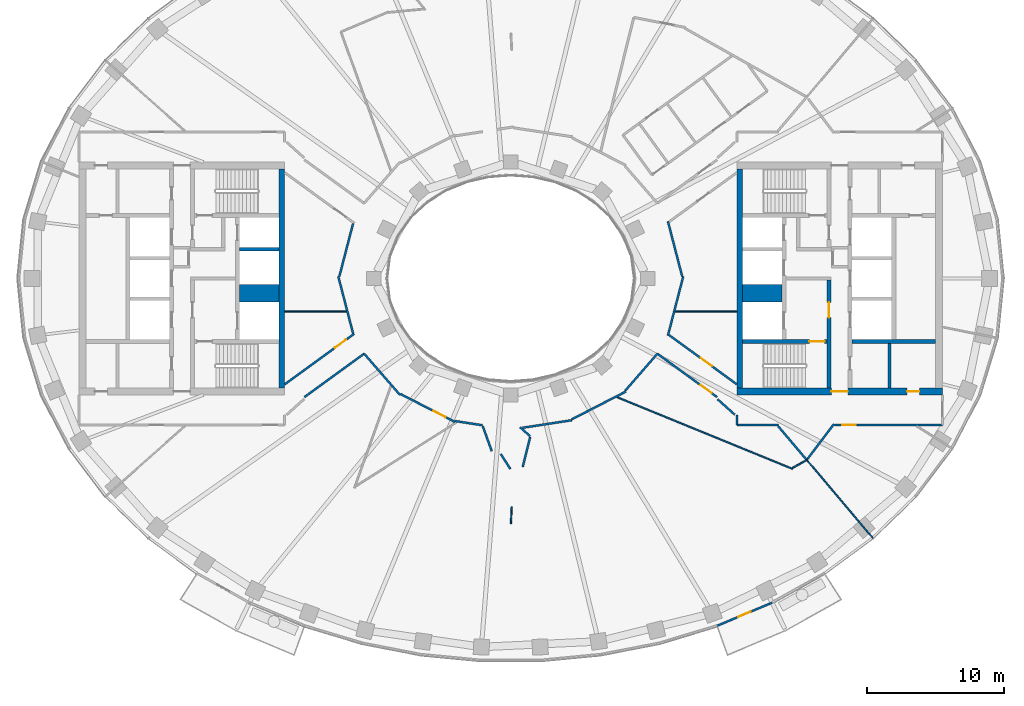
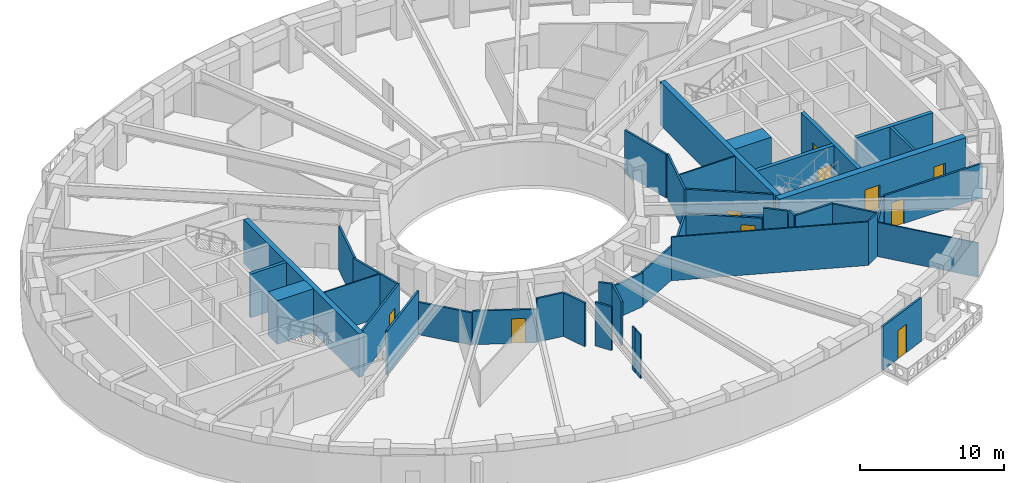
# One storey, part 4 of 15: 42 walls, 10 doors, 10 openings.
"""IFC4 building model written with IfcOpenShell, lengths in metres."""

from ifc_helpers import new_model, si_unit, direction, frame, frame_2d, origin, place, context, subcontext, project, spatial, rectangle, extrude, material, layer, layer_set, type_object, element, fill, save


model = new_model("IFC4")

# Units and contexts
model_context = context("Model", 3, precision=1e-05, world=origin(), true_north=direction((0.0, 1.0)))
body_context = subcontext(model_context, "Body", "Model", "MODEL_VIEW")
ifc_project = project(units=[si_unit("LENGTHUNIT", "METRE"), si_unit("AREAUNIT", "SQUARE_METRE"), si_unit("VOLUMEUNIT", "CUBIC_METRE"), si_unit("PLANEANGLEUNIT", "RADIAN"), si_unit("MASSUNIT", "GRAM", prefix="KILO")], contexts=[model_context])

# Site, building, storey
site_placement = place(None, origin())
site = spatial("IfcSite", under=ifc_project, at=site_placement, CompositionType="ELEMENT")
building_placement = place(site_placement, origin())
building = spatial("IfcBuilding", under=site, at=building_placement, Name="Noorbagh Ring Tower", CompositionType="ELEMENT")
storey_placement = place(building_placement, frame((0.0, 0.0, 194.0)))
storey = spatial("IfcBuildingStorey", under=building, at=storey_placement, Name="L45", CompositionType="ELEMENT", Elevation=194.0)

# Walls
ifc_material_1 = material(Name="Gypsum board on steel studs", Category="steel")
ifc_layer_1 = layer(ifc_material_1, 0.199951171875)
ifc_layer_set_1 = layer_set([ifc_layer_1], Name="Gypsum board on steel studs")
wall_type_1 = type_object("IfcWallType", Name="CORE-PARTITION-200", PredefinedType="PARTITIONING", material=ifc_layer_set_1)
wall_1_placement = place(storey_placement, frame((27.64990234375, -8.0, 0.0), z_axis=(0.0, 0.0, 1.0), x_axis=(0.0, 1.0, 0.0)))
element("IfcWall", 1, at=wall_1_placement, inside=storey, type_object=wall_type_1, Name="Core partition E", PredefinedType="PARTITIONING", context=body_context, shape_type="SweptSolid", body=[
    extrude(rectangle(XDim=3.25, YDim=0.199951171875, at=frame_2d((1.625, 0.0))), origin(), (0.0, 0.0, 1.0), 3.699951171875),
])
ifc_material_2 = material(Name="Concrete C60/75", Category="concrete")
ifc_layer_2 = layer(ifc_material_2, 1.25)
ifc_layer_set_2 = layer_set([ifc_layer_2], Name="Concrete C60/75")
wall_type_2 = type_object("IfcWallType", Name="CORE-WALL-1250-C60-75-EI120", PredefinedType="SHEAR", material=ifc_layer_set_2)
for number, where, z_axis, x_axis, name in (
    (2, (-16.89990234375, -1.074951171875, 0.0), (0.0, 0.0, 1.0), (-1.0, 0.0, 0.0), "Core wall W"),
    (3, (16.89990234375, -1.074951171875, 0.0), (0.0, 0.0, 1.0), (1.0, 0.0, 0.0), "Core wall E"),
):
    element("IfcWall", number, at=place(storey_placement, frame(where, z_axis=z_axis, x_axis=x_axis)), inside=storey, type_object=wall_type_2, Name=name, PredefinedType="SHEAR", context=body_context, shape_type="SweptSolid", body=[
        extrude(rectangle(XDim=2.900146484375, YDim=1.25, at=frame_2d((1.4501953125, 0.0))), origin(), (0.0, 0.0, 1.0), 3.699951171875),
    ])
ifc_material_3 = material(Name="Concrete C60/75", Category="concrete")
ifc_layer_3 = layer(ifc_material_3, 0.25)
ifc_layer_set_3 = layer_set([ifc_layer_3], Name="Concrete C60/75")
wall_type_3 = type_object("IfcWallType", Name="CORE-WALL-250-C60-75-EI120", PredefinedType="SHEAR", material=ifc_layer_set_3)
wall_2_placement = place(storey_placement, frame((-16.89990234375, 2.125, 0.0), z_axis=(0.0, 0.0, 1.0), x_axis=(-1.0, 0.0, 0.0)))
element("IfcWall", 4, at=wall_2_placement, inside=storey, type_object=wall_type_3, Name="Core wall W", PredefinedType="SHEAR", context=body_context, shape_type="SweptSolid", body=[
    extrude(rectangle(XDim=2.900146484375, YDim=0.25, at=frame_2d((1.4501953125, 0.0))), origin(), (0.0, 0.0, 1.0), 3.699951171875),
])
ifc_material_4 = material(Name="Concrete C60/75", Category="concrete")
ifc_layer_4 = layer(ifc_material_4, 0.300048828125)
ifc_layer_set_4 = layer_set([ifc_layer_4], Name="Concrete C60/75")
wall_type_4 = type_object("IfcWallType", Name="CORE-WALL-300-C60-75-EI240", PredefinedType="SHEAR", material=ifc_layer_set_4)
wall_3_placement = place(storey_placement, frame((24.89990234375, -4.60009765625, 0.0), z_axis=(0.0, 0.0, 1.0), x_axis=(1.0, 0.0, 0.0)))
element("IfcWall", 5, at=wall_3_placement, inside=storey, type_object=wall_type_4, Name="Core wall E", PredefinedType="SHEAR", context=body_context, shape_type="SweptSolid", body=[
    extrude(rectangle(XDim=6.10009765625, YDim=0.300048828125, at=frame_2d((3.050048828125, 0.0))), origin(), (0.0, 0.0, 1.0), 3.699951171875),
])

# Wall, opening, door
wall_4_placement = place(storey_placement, frame((23.22998046875, -8.0, 0.0), z_axis=(0.0, 0.0, 1.0), x_axis=(0.0, 1.0, 0.0)))
wall_4 = element("IfcWall", 6, at=wall_4_placement, inside=storey, type_object=wall_type_4, Name="Core wall E", PredefinedType="SHEAR", context=body_context, shape_type="SweptSolid", body=[
    extrude(rectangle(XDim=7.875, YDim=0.300048828125, at=frame_2d((3.9375, 0.0))), origin(), (0.0, 0.0, 1.0), 3.699951171875),
])
opening_1_placement = place(wall_4_placement, frame((5.14990234375, 0.0, 0.0)))
opening_1 = element("IfcOpeningElement", 7, at=opening_1_placement, cuts=wall_4, Name="Opening L45-CE09", PredefinedType="OPENING", context=body_context, shape_type="SweptSolid", body=[
    extrude(rectangle(XDim=1.10009765625, YDim=2.10009765625, at=frame_2d((0.550048828125, 1.050048828125))), frame((0.0, 0.16015625, 0.0), z_axis=(0.0, -1.0, 0.0), x_axis=(1.0, 0.0, 0.0)), (0.0, 0.0, 1.0), 0.320068359375),
])
ifc_material_5 = material(Name="Steel door leaf", Category="steel")
door_type_1 = type_object("IfcDoorType", Name="CORE-DOOR-DFF", OperationType="SINGLE_SWING_LEFT", PredefinedType="DOOR", material=ifc_material_5)
door_1_placement = place(opening_1_placement, origin())
door_1 = element("IfcDoor", 8, at=door_1_placement, inside=storey, type_object=door_type_1, Name="Firefighting lobby door L45-CE09", OperationType="SINGLE_SWING_RIGHT", OverallHeight=2.10009765625, OverallWidth=1.10009765625, PredefinedType="DOOR", context=body_context, shape_type="SweptSolid", body=[
    extrude(rectangle(XDim=1.10009765625, YDim=2.10009765625, at=frame_2d((0.550048828125, 1.050048828125))), frame((0.0, 0.02490234375, 0.0), z_axis=(0.0, -1.0, 0.0), x_axis=(1.0, 0.0, 0.0)), (0.0, 0.0, 1.0), 0.050048828125),
])
fill(opening_1, door_1)

wall_5_placement = place(storey_placement, frame((16.89990234375, -4.60009765625, 0.0), z_axis=(0.0, 0.0, 1.0), x_axis=(1.0, 0.0, 0.0)))
wall_5 = element("IfcWall", 9, at=wall_5_placement, inside=storey, type_object=wall_type_4, Name="Core wall E", PredefinedType="SHEAR", context=body_context, shape_type="SweptSolid", body=[
    extrude(rectangle(XDim=6.18017578125, YDim=0.300048828125, at=frame_2d((3.090087890625, 0.0))), origin(), (0.0, 0.0, 1.0), 3.699951171875),
])
opening_2_placement = place(wall_5_placement, frame((4.89990234375, 0.0, 0.0)))
opening_2 = element("IfcOpeningElement", 10, at=opening_2_placement, cuts=wall_5, Name="Opening L45-CE08", PredefinedType="OPENING", context=body_context, shape_type="SweptSolid", body=[
    extrude(rectangle(XDim=1.10009765625, YDim=2.10009765625, at=frame_2d((0.550048828125, 1.050048828125))), frame((0.0, 0.16015625, 0.0), z_axis=(0.0, -1.0, 0.0), x_axis=(1.0, 0.0, 0.0)), (0.0, 0.0, 1.0), 0.320068359375),
])
ifc_material_6 = material(Name="Steel door leaf", Category="steel")
door_type_2 = type_object("IfcDoorType", Name="CORE-DOOR-DSTAIR", OperationType="SINGLE_SWING_LEFT", PredefinedType="DOOR", material=ifc_material_6)
door_2_placement = place(opening_2_placement, origin())
door_2 = element("IfcDoor", 11, at=door_2_placement, inside=storey, type_object=door_type_2, Name="Stair door ST4 L45-CE08", OperationType="SINGLE_SWING_RIGHT", OverallHeight=2.10009765625, OverallWidth=1.10009765625, PredefinedType="DOOR", context=body_context, shape_type="SweptSolid", body=[
    extrude(rectangle(XDim=1.10009765625, YDim=2.10009765625, at=frame_2d((0.550048828125, 1.050048828125))), frame((0.0, 0.02490234375, 0.0), z_axis=(0.0, -1.0, 0.0), x_axis=(1.0, 0.0, 0.0)), (0.0, 0.0, 1.0), 0.050048828125),
])
fill(opening_2, door_2)

# Walls
ifc_material_7 = material(Name="Concrete C60/75", Category="concrete")
ifc_layer_5 = layer(ifc_material_7, 0.39990234375)
ifc_layer_set_5 = layer_set([ifc_layer_5], Name="Concrete C60/75")
wall_type_5 = type_object("IfcWallType", Name="CORE-WALL-400-C60-75-EI240", PredefinedType="SHEAR", material=ifc_layer_set_5)
for number, where, z_axis, x_axis, name in (
    (12, (-16.699951171875, -8.0, 0.0), (0.0, 0.0, 1.0), (0.0, 1.0, 0.0), "Core wall W"),
    (13, (16.699951171875, -8.0, 0.0), (0.0, 0.0, 1.0), (0.0, 1.0, 0.0), "Core wall E"),
):
    element("IfcWall", number, at=place(storey_placement, frame(where, z_axis=z_axis, x_axis=x_axis)), inside=storey, type_object=wall_type_5, Name=name, PredefinedType="SHEAR", context=body_context, shape_type="SweptSolid", body=[
        extrude(rectangle(XDim=16.0, YDim=0.39990234375, at=frame_2d((8.0, 0.0))), origin(), (0.0, 0.0, 1.0), 3.699951171875),
    ])

# Wall, openings, doors
ifc_material_8 = material(Name="Concrete C60/75", Category="concrete")
ifc_layer_6 = layer(ifc_material_8, 0.5)
ifc_layer_set_6 = layer_set([ifc_layer_6], Name="Concrete C60/75")
wall_type_6 = type_object("IfcWallType", Name="CORE-WALL-500-C60-75-EI240", PredefinedType="SHEAR", material=ifc_layer_set_6)
wall_6_placement = place(storey_placement, frame((16.5, -8.25, 0.0), z_axis=(0.0, 0.0, 1.0), x_axis=(1.0, 0.0, 0.0)))
wall_6 = element("IfcWall", 14, at=wall_6_placement, inside=storey, type_object=wall_type_6, Name="Core wall E", PredefinedType="SHEAR", context=body_context, shape_type="SweptSolid", body=[
    extrude(rectangle(XDim=15.0, YDim=0.5, at=frame_2d((7.5, 0.0))), origin(), (0.0, 0.0, 1.0), 3.699951171875),
])
opening_3_placement = place(wall_6_placement, frame((6.89990234375, 0.0, 0.0)))
opening_3 = element("IfcOpeningElement", 15, at=opening_3_placement, cuts=wall_6, Name="Opening L45-CE12", PredefinedType="OPENING", context=body_context, shape_type="SweptSolid", body=[
    extrude(rectangle(XDim=1.199951171875, YDim=2.10009765625, at=frame_2d((0.60009765625, 1.050048828125))), frame((0.0, 0.260009765625, 0.0), z_axis=(0.0, -1.0, 0.0), x_axis=(1.0, 0.0, 0.0)), (0.0, 0.0, 1.0), 0.52001953125),
])
opening_4_placement = place(wall_6_placement, frame((12.425048828125, 0.0, 0.0)))
opening_4 = element("IfcOpeningElement", 16, at=opening_4_placement, cuts=wall_6, Name="Opening L45-CE16", PredefinedType="OPENING", context=body_context, shape_type="SweptSolid", body=[
    extrude(rectangle(XDim=0.89990234375, YDim=2.10009765625, at=frame_2d((0.449951171875, 1.050048828125))), frame((0.0, 0.260009765625, 0.0), z_axis=(0.0, -1.0, 0.0), x_axis=(1.0, 0.0, 0.0)), (0.0, 0.0, 1.0), 0.52001953125),
])
ifc_material_9 = material(Name="Steel door leaf", Category="steel")
door_type_3 = type_object("IfcDoorType", Name="CORE-DOOR-DROOM", OperationType="SINGLE_SWING_LEFT", PredefinedType="DOOR", material=ifc_material_9)
door_3_placement = place(opening_4_placement, origin())
door_3 = element("IfcDoor", 17, at=door_3_placement, inside=storey, type_object=door_type_3, Name="Core room door L45-CE16", OperationType="SINGLE_SWING_RIGHT", OverallHeight=2.10009765625, OverallWidth=0.89990234375, PredefinedType="DOOR", context=body_context, shape_type="SweptSolid", body=[
    extrude(rectangle(XDim=0.89990234375, YDim=2.10009765625, at=frame_2d((0.449951171875, 1.050048828125))), frame((0.0, 0.02490234375, 0.0), z_axis=(0.0, -1.0, 0.0), x_axis=(1.0, 0.0, 0.0)), (0.0, 0.0, 1.0), 0.050048828125),
])
fill(opening_4, door_3)
ifc_material_10 = material(Name="Steel door leaf", Category="steel")
door_type_4 = type_object("IfcDoorType", Name="CORE-DOOR-PORT", OperationType="DOUBLE_DOOR_DOUBLE_SWING", PredefinedType="DOOR", material=ifc_material_10)
door_4_placement = place(opening_3_placement, origin())
door_4 = element("IfcDoor", 18, at=door_4_placement, inside=storey, type_object=door_type_4, Name="Core entrance door L45-CE12", OperationType="DOUBLE_DOOR_DOUBLE_SWING", OverallHeight=2.10009765625, OverallWidth=1.199951171875, PredefinedType="DOOR", context=body_context, shape_type="SweptSolid", body=[
    extrude(rectangle(XDim=1.199951171875, YDim=2.10009765625, at=frame_2d((0.60009765625, 1.050048828125))), frame((0.0, 0.02490234375, 0.0), z_axis=(0.0, -1.0, 0.0), x_axis=(1.0, 0.0, 0.0)), (0.0, 0.0, 1.0), 0.050048828125),
])
fill(opening_3, door_4)

# Wall, opening, door
ifc_material_11 = material(Name="Gypsum board on steel studs", Category="steel")
ifc_layer_7 = layer(ifc_material_11, 0.14990234375)
ifc_layer_set_7 = layer_set([ifc_layer_7], Name="Gypsum board on steel studs")
wall_type_7 = type_object("IfcWallType", Name="CORRIDOR PARTITION 150 EI 30", PredefinedType="PARTITIONING", material=ifc_layer_set_7)
wall_7_placement = place(storey_placement, frame((-16.5, -7.72705078125, 0.0), z_axis=(0.0, 0.0, 1.0), x_axis=(0.808900994583, 0.587944879188, 0.0)))
wall_7 = element("IfcWall", 19, at=wall_7_placement, inside=storey, type_object=wall_type_7, Name="L45/wall/P11", PredefinedType="PARTITIONING", context=body_context, shape_type="SweptSolid", body=[
    extrude(rectangle(XDim=6.272705078125, YDim=0.14990234375, at=frame_2d((3.13623046875, 0.0))), origin(), (0.0, 0.0, 1.0), 3.699951171875),
])
opening_5_placement = place(wall_7_placement, frame((4.54248046875, 0.0, 0.0)))
opening_5 = element("IfcOpeningElement", 20, at=opening_5_placement, cuts=wall_7, Name="Opening D1", PredefinedType="OPENING", context=body_context, shape_type="SweptSolid", body=[
    extrude(rectangle(XDim=1.0, YDim=2.10009765625, at=frame_2d((0.5, 1.050048828125))), frame((0.0, 0.0849609375, 0.0), z_axis=(0.0, -1.0, 0.0), x_axis=(1.0, 0.0, 0.0)), (0.0, 0.0, 1.0), 0.169921875),
])
ifc_material_12 = material(Name="Timber, painted", Category="wood")
door_type_5 = type_object("IfcDoorType", Name="DOOR 1000 X 2100 FD30", OperationType="SINGLE_SWING_LEFT", PredefinedType="DOOR", material=ifc_material_12)
door_5_placement = place(opening_5_placement, origin())
door_5 = element("IfcDoor", 21, at=door_5_placement, inside=storey, type_object=door_type_5, Name="L45-D17", OperationType="SINGLE_SWING_LEFT", OverallHeight=2.10009765625, OverallWidth=1.0, PredefinedType="DOOR", context=body_context, shape_type="SweptSolid", body=[
    extrude(rectangle(XDim=1.0, YDim=2.10009765625, at=frame_2d((0.5, 1.050048828125))), frame((0.0, 0.02490234375, 0.0), z_axis=(0.0, -1.0, 0.0), x_axis=(1.0, 0.0, 0.0)), (0.0, 0.0, 1.0), 0.050048828125),
])
fill(opening_5, door_5)

# Walls
wall_8_placement = place(storey_placement, frame((-15.05908203125, -8.657958984375, 0.0), z_axis=(0.0, 0.0, 1.0), x_axis=(0.808838005268, 0.588031530816, 0.0)))
element("IfcWall", 22, at=wall_8_placement, inside=storey, type_object=wall_type_7, Name="L45/wall/P13", PredefinedType="PARTITIONING", context=body_context, shape_type="SweptSolid", body=[
    extrude(rectangle(XDim=5.3857421875, YDim=0.14990234375, at=frame_2d((2.69287109375, 0.0))), origin(), (0.0, 0.0, 1.0), 3.699951171875),
])
wall_9_placement = place(storey_placement, frame((-12.589111328125, 0.14892578125, 0.0), z_axis=(0.0, 0.0, 1.0), x_axis=(0.251046993507, -0.967974900011, 0.0)))
element("IfcWall", 23, at=wall_9_placement, inside=storey, type_object=wall_type_7, Name="L45/wall/P15", PredefinedType="PARTITIONING", context=body_context, shape_type="SweptSolid", body=[
    extrude(rectangle(XDim=4.29443359375, YDim=0.14990234375, at=frame_2d((2.147216796875, 0.0))), origin(), (0.0, 0.0, 1.0), 3.699951171875),
])
wall_10_placement = place(storey_placement, frame((-12.510986328125, 0.14892578125, 0.0), z_axis=(0.0, 0.0, 1.0), x_axis=(0.250841014014, 0.968028297979, 0.0)))
element("IfcWall", 24, at=wall_10_placement, inside=storey, type_object=wall_type_7, Name="L45/wall/P16", PredefinedType="PARTITIONING", context=body_context, shape_type="SweptSolid", body=[
    extrude(rectangle(XDim=3.986572265625, YDim=0.14990234375, at=frame_2d((1.9931640625, 0.0))), origin(), (0.0, 0.0, 1.0), 3.699951171875),
])
wall_11_placement = place(storey_placement, frame((-10.702880859375, -5.490966796875, 0.0), z_axis=(0.0, 0.0, 1.0), x_axis=(0.656266732873, -0.754528975802, 0.0)))
element("IfcWall", 25, at=wall_11_placement, inside=storey, type_object=wall_type_7, Name="L45/wall/P22", PredefinedType="PARTITIONING", context=body_context, shape_type="SweptSolid", body=[
    extrude(rectangle(XDim=3.982666015625, YDim=0.14990234375, at=frame_2d((1.9912109375, 0.0))), origin(), (0.0, 0.0, 1.0), 2.75),
])

# Wall, opening, door
wall_12_placement = place(storey_placement, frame((-8.0419921875, -8.43505859375, 0.0), z_axis=(0.0, 0.0, 1.0), x_axis=(0.88929925529, -0.457325742268, 0.0)))
wall_12 = element("IfcWall", 26, at=wall_12_placement, inside=storey, type_object=wall_type_7, Name="L45/wall/P25", PredefinedType="PARTITIONING", context=body_context, shape_type="SweptSolid", body=[
    extrude(rectangle(XDim=4.458740234375, YDim=0.14990234375, at=frame_2d((2.2294921875, 0.0))), origin(), (0.0, 0.0, 1.0), 2.85009765625),
])
opening_6_placement = place(wall_12_placement, frame((2.697998046875, 0.0, 0.0)))
opening_6 = element("IfcOpeningElement", 27, at=opening_6_placement, cuts=wall_12, Name="Opening D1", PredefinedType="OPENING", context=body_context, shape_type="SweptSolid", body=[
    extrude(rectangle(XDim=1.0, YDim=2.10009765625, at=frame_2d((0.5, 1.050048828125))), frame((0.0, 0.0849609375, 0.0), z_axis=(0.0, -1.0, 0.0), x_axis=(1.0, 0.0, 0.0)), (0.0, 0.0, 1.0), 0.169921875),
])
door_6_placement = place(opening_6_placement, origin())
door_6 = element("IfcDoor", 28, at=door_6_placement, inside=storey, type_object=door_type_5, Name="L45-D10", OperationType="SINGLE_SWING_RIGHT", OverallHeight=2.10009765625, OverallWidth=1.0, PredefinedType="DOOR", context=body_context, shape_type="SweptSolid", body=[
    extrude(rectangle(XDim=1.0, YDim=2.10009765625, at=frame_2d((0.5, 1.050048828125))), frame((0.0, 0.02490234375, 0.0), z_axis=(0.0, -1.0, 0.0), x_axis=(1.0, 0.0, 0.0)), (0.0, 0.0, 1.0), 0.050048828125),
])
fill(opening_6, door_6)

# Walls
wall_13_placement = place(storey_placement, frame((-4.055908203125, -10.407958984375, 0.0), z_axis=(0.0, 0.0, 1.0), x_axis=(0.988437567576, -0.151628410943, 0.0)))
element("IfcWall", 29, at=wall_13_placement, inside=storey, type_object=wall_type_7, Name="L45/wall/P27", PredefinedType="PARTITIONING", context=body_context, shape_type="SweptSolid", body=[
    extrude(rectangle(XDim=2.010986328125, YDim=0.14990234375, at=frame_2d((1.00537109375, 0.0))), origin(), (0.0, 0.0, 1.0), 3.699951171875),
])
wall_14_placement = place(storey_placement, frame((-2.0390625, -10.7939453125, 0.0), z_axis=(0.0, 0.0, 1.0), x_axis=(0.338850133174, -0.940840362255, 0.0)))
element("IfcWall", 30, at=wall_14_placement, inside=storey, type_object=wall_type_7, Name="L45/wall/P29", PredefinedType="PARTITIONING", context=body_context, shape_type="SweptSolid", body=[
    extrude(rectangle(XDim=1.918701171875, YDim=0.14990234375, at=frame_2d((0.95947265625, 0.0))), origin(), (0.0, 0.0, 1.0), 3.699951171875),
])
wall_15_placement = place(storey_placement, frame((-0.72509765625, -12.822998046875, 0.0), z_axis=(0.0, 0.0, 1.0), x_axis=(0.542092475383, -0.840318837188, 0.0)))
element("IfcWall", 31, at=wall_15_placement, inside=storey, type_object=wall_type_7, Name="L45/wall/P31", PredefinedType="PARTITIONING", context=body_context, shape_type="SweptSolid", body=[
    extrude(rectangle(XDim=1.29345703125, YDim=0.14990234375, at=frame_2d((0.646728515625, 0.0))), origin(), (0.0, 0.0, 1.0), 3.699951171875),
])
wall_16_placement = place(storey_placement, frame((0.673095703125, -10.85400390625, 0.0), z_axis=(0.0, 0.0, 1.0), x_axis=(0.747423000387, -0.664348446595, 0.0)))
element("IfcWall", 32, at=wall_16_placement, inside=storey, type_object=wall_type_7, Name="L45/wall/P37", PredefinedType="PARTITIONING", context=body_context, shape_type="SweptSolid", body=[
    extrude(rectangle(XDim=0.984619140625, YDim=0.14990234375, at=frame_2d((0.4921875, 0.0))), origin(), (0.0, 0.0, 1.0), 3.699951171875),
])
wall_17_placement = place(storey_placement, frame((0.844970703125, -10.89990234375, 0.0), z_axis=(0.0, 0.0, 1.0), x_axis=(0.988507156868, 0.151174074564, 0.0)))
element("IfcWall", 33, at=wall_17_placement, inside=storey, type_object=wall_type_7, Name="L45/wall/P38", PredefinedType="PARTITIONING", context=body_context, shape_type="SweptSolid", body=[
    extrude(rectangle(XDim=3.67724609375, YDim=0.14990234375, at=frame_2d((1.838623046875, 0.0))), origin(), (0.0, 0.0, 1.0), 2.85009765625),
])
wall_18_placement = place(storey_placement, frame((0.873046875, -13.758056640625, 0.0), z_axis=(0.0, 0.0, 1.0), x_axis=(0.239729563679, 0.970839706799, 0.0)))
element("IfcWall", 34, at=wall_18_placement, inside=storey, type_object=wall_type_7, Name="L45/wall/P39", PredefinedType="PARTITIONING", context=body_context, shape_type="SweptSolid", body=[
    extrude(rectangle(XDim=2.252685546875, YDim=0.14990234375, at=frame_2d((1.12646484375, 0.0))), origin(), (0.0, 0.0, 1.0), 3.699951171875),
])
wall_19_placement = place(storey_placement, frame((4.458984375, -10.278076171875, 0.0), z_axis=(0.0, 0.0, 1.0), x_axis=(0.889360097773, 0.457207410799, 0.0)))
element("IfcWall", 35, at=wall_19_placement, inside=storey, type_object=wall_type_7, Name="L45/wall/P40", PredefinedType="PARTITIONING", context=body_context, shape_type="SweptSolid", body=[
    extrude(rectangle(XDim=4.43359375, YDim=0.14990234375, at=frame_2d((2.216796875, 0.0))), origin(), (0.0, 0.0, 1.0), 2.85009765625),
])
wall_20_placement = place(storey_placement, frame((8.35498046875, -8.18994140625, 0.0), z_axis=(0.0, 0.0, 1.0), x_axis=(0.656332459324, 0.754471803871, 0.0)))
element("IfcWall", 36, at=wall_20_placement, inside=storey, type_object=wall_type_7, Name="L45/wall/P46", PredefinedType="PARTITIONING", context=body_context, shape_type="SweptSolid", body=[
    extrude(rectangle(XDim=3.577392578125, YDim=0.14990234375, at=frame_2d((1.78857421875, 0.0))), origin(), (0.0, 0.0, 1.0), 2.75),
])

# Wall, opening, door
wall_21_placement = place(storey_placement, frame((10.702880859375, -5.490966796875, 0.0), z_axis=(0.0, 0.0, 1.0), x_axis=(0.808838005268, -0.588031530816, 0.0)))
wall_21 = element("IfcWall", 37, at=wall_21_placement, inside=storey, type_object=wall_type_7, Name="L45/wall/P52", PredefinedType="PARTITIONING", context=body_context, shape_type="SweptSolid", body=[
    extrude(rectangle(XDim=5.3857421875, YDim=0.14990234375, at=frame_2d((2.69287109375, 0.0))), origin(), (0.0, 0.0, 1.0), 2.75),
])
opening_7_placement = place(wall_21_placement, frame((3.89990234375, 0.0, 0.0)))
opening_7 = element("IfcOpeningElement", 38, at=opening_7_placement, cuts=wall_21, Name="Opening D1", PredefinedType="OPENING", context=body_context, shape_type="SweptSolid", body=[
    extrude(rectangle(XDim=1.0, YDim=2.10009765625, at=frame_2d((0.5, 1.050048828125))), frame((0.0, 0.0849609375, 0.0), z_axis=(0.0, -1.0, 0.0), x_axis=(1.0, 0.0, 0.0)), (0.0, 0.0, 1.0), 0.169921875),
])
door_7_placement = place(opening_7_placement, origin())
door_7 = element("IfcDoor", 39, at=door_7_placement, inside=storey, type_object=door_type_5, Name="L45-D12", OperationType="SINGLE_SWING_RIGHT", OverallHeight=2.10009765625, OverallWidth=1.0, PredefinedType="DOOR", context=body_context, shape_type="SweptSolid", body=[
    extrude(rectangle(XDim=1.0, YDim=2.10009765625, at=frame_2d((0.5, 1.050048828125))), frame((0.0, 0.02490234375, 0.0), z_axis=(0.0, -1.0, 0.0), x_axis=(1.0, 0.0, 0.0)), (0.0, 0.0, 1.0), 0.050048828125),
])
fill(opening_7, door_7)

# Wall
wall_22_placement = place(storey_placement, frame((11.470947265625, -4.1640625, 0.0), z_axis=(0.0, 0.0, 1.0), x_axis=(0.250958355571, 0.967997884176, 0.0)))
element("IfcWall", 40, at=wall_22_placement, inside=storey, type_object=wall_type_7, Name="L45/wall/P56", PredefinedType="PARTITIONING", context=body_context, shape_type="SweptSolid", body=[
    extrude(rectangle(XDim=4.45556640625, YDim=0.14990234375, at=frame_2d((2.227783203125, 0.0))), origin(), (0.0, 0.0, 1.0), 3.699951171875),
])

# Wall, opening, door
wall_23_placement = place(storey_placement, frame((11.555908203125, -4.133056640625, 0.0), z_axis=(0.0, 0.0, 1.0), x_axis=(0.808869060288, -0.587988812231, 0.0)))
wall_23 = element("IfcWall", 41, at=wall_23_placement, inside=storey, type_object=wall_type_7, Name="L45/wall/P57", PredefinedType="PARTITIONING", context=body_context, shape_type="SweptSolid", body=[
    extrude(rectangle(XDim=6.1123046875, YDim=0.14990234375, at=frame_2d((3.05615234375, 0.0))), origin(), (0.0, 0.0, 1.0), 3.699951171875),
])
opening_8_placement = place(wall_23_placement, frame((2.858154296875, 0.0, 0.0)))
opening_8 = element("IfcOpeningElement", 42, at=opening_8_placement, cuts=wall_23, Name="Opening D1", PredefinedType="OPENING", context=body_context, shape_type="SweptSolid", body=[
    extrude(rectangle(XDim=1.0, YDim=2.10009765625, at=frame_2d((0.5, 1.050048828125))), frame((0.0, 0.0849609375, 0.0), z_axis=(0.0, -1.0, 0.0), x_axis=(1.0, 0.0, 0.0)), (0.0, 0.0, 1.0), 0.169921875),
])
door_8_placement = place(opening_8_placement, origin())
door_8 = element("IfcDoor", 43, at=door_8_placement, inside=storey, type_object=door_type_5, Name="L45-D19", OperationType="SINGLE_SWING_LEFT", OverallHeight=2.10009765625, OverallWidth=1.0, PredefinedType="DOOR", context=body_context, shape_type="SweptSolid", body=[
    extrude(rectangle(XDim=1.0, YDim=2.10009765625, at=frame_2d((0.5, 1.050048828125))), frame((0.0, 0.02490234375, 0.0), z_axis=(0.0, -1.0, 0.0), x_axis=(1.0, 0.0, 0.0)), (0.0, 0.0, 1.0), 0.050048828125),
])
fill(opening_8, door_8)

# Walls
wall_24_placement = place(storey_placement, frame((11.470947265625, 4.1640625, 0.0), z_axis=(0.0, 0.0, 1.0), x_axis=(0.250753789182, -0.968050895982, 0.0)))
element("IfcWall", 44, at=wall_24_placement, inside=storey, type_object=wall_type_7, Name="L45/wall/P58", PredefinedType="PARTITIONING", context=body_context, shape_type="SweptSolid", body=[
    extrude(rectangle(XDim=4.147705078125, YDim=0.14990234375, at=frame_2d((2.07373046875, 0.0))), origin(), (0.0, 0.0, 1.0), 3.699951171875),
])
wall_25_placement = place(storey_placement, frame((16.5, -10.699951171875, 0.0), z_axis=(0.0, 0.0, 1.0), x_axis=(0.0, 1.0, 0.0)))
element("IfcWall", 45, at=wall_25_placement, inside=storey, type_object=wall_type_7, Name="L45/wall/P63", PredefinedType="PARTITIONING", context=body_context, shape_type="SweptSolid", body=[
    extrude(rectangle(XDim=0.73583984375, YDim=0.14990234375, at=frame_2d((0.367919921875, 0.0))), origin(), (0.0, 0.0, 1.0), 3.699951171875),
])
wall_26_placement = place(storey_placement, frame((16.5, -10.699951171875, 0.0), z_axis=(0.0, 0.0, 1.0), x_axis=(1.0, 0.0, 0.0)))
element("IfcWall", 46, at=wall_26_placement, inside=storey, type_object=wall_type_7, Name="L45/wall/P64", PredefinedType="PARTITIONING", context=body_context, shape_type="SweptSolid", body=[
    extrude(rectangle(XDim=3.04296875, YDim=0.14990234375, at=frame_2d((1.521484375, 0.0))), origin(), (0.0, 0.0, 1.0), 3.699951171875),
])
wall_27_placement = place(storey_placement, frame((19.510986328125, -10.778076171875, 0.0), z_axis=(0.0, 0.0, 1.0), x_axis=(0.646314086505, -0.763071491792, 0.0)))
element("IfcWall", 47, at=wall_27_placement, inside=storey, type_object=wall_type_7, Name="L45/wall/P68", PredefinedType="PARTITIONING", context=body_context, shape_type="SweptSolid", body=[
    extrude(rectangle(XDim=3.23681640625, YDim=0.14990234375, at=frame_2d((1.618408203125, 0.0))), origin(), (0.0, 0.0, 1.0), 3.699951171875),
])
wall_28_placement = place(storey_placement, frame((21.60302734375, -13.248046875, 0.0), z_axis=(0.0, 0.0, 1.0), x_axis=(0.60303683539, 0.797713341472, 0.0)))
element("IfcWall", 48, at=wall_28_placement, inside=storey, type_object=wall_type_7, Name="L45/wall/P71", PredefinedType="PARTITIONING", context=body_context, shape_type="SweptSolid", body=[
    extrude(rectangle(XDim=3.2880859375, YDim=0.14990234375, at=frame_2d((1.64404296875, 0.0))), origin(), (0.0, 0.0, 1.0), 2.75),
])

# Wall, opening, door
wall_29_placement = place(storey_placement, frame((23.623046875, -10.699951171875, 0.0), z_axis=(0.0, 0.0, 1.0), x_axis=(1.0, 0.0, 0.0)))
wall_29 = element("IfcWall", 49, at=wall_29_placement, inside=storey, type_object=wall_type_7, Name="L45/wall/P75", PredefinedType="PARTITIONING", context=body_context, shape_type="SweptSolid", body=[
    extrude(rectangle(XDim=7.876953125, YDim=0.14990234375, at=frame_2d((3.9384765625, 0.0))), origin(), (0.0, 0.0, 1.0), 2.89990234375),
])
opening_9_placement = place(wall_29_placement, frame((0.555908203125, 0.0, 0.0)))
opening_9 = element("IfcOpeningElement", 50, at=opening_9_placement, cuts=wall_29, Name="Opening D1", PredefinedType="OPENING", context=body_context, shape_type="SweptSolid", body=[
    extrude(rectangle(XDim=1.0, YDim=2.10009765625, at=frame_2d((0.5, 1.050048828125))), frame((0.0, 0.0849609375, 0.0), z_axis=(0.0, -1.0, 0.0), x_axis=(1.0, 0.0, 0.0)), (0.0, 0.0, 1.0), 0.169921875),
])
door_9_placement = place(opening_9_placement, origin())
door_9 = element("IfcDoor", 51, at=door_9_placement, inside=storey, type_object=door_type_5, Name="L45-D13", OperationType="SINGLE_SWING_LEFT", OverallHeight=2.10009765625, OverallWidth=1.0, PredefinedType="DOOR", context=body_context, shape_type="SweptSolid", body=[
    extrude(rectangle(XDim=1.0, YDim=2.10009765625, at=frame_2d((0.5, 1.050048828125))), frame((0.0, 0.02490234375, 0.0), z_axis=(0.0, -1.0, 0.0), x_axis=(1.0, 0.0, 0.0)), (0.0, 0.0, 1.0), 0.050048828125),
])
fill(opening_9, door_9)

# Wall
wall_30_placement = place(storey_placement, frame((16.35205078125, -9.94189453125, 0.0), z_axis=(0.0, 0.0, 1.0), x_axis=(-0.744832366149, 0.667251636444, 0.0)))
element("IfcWall", 52, at=wall_30_placement, inside=storey, type_object=wall_type_7, Name="L45/wall/P84", PredefinedType="PARTITIONING", context=body_context, shape_type="SweptSolid", body=[
    extrude(rectangle(XDim=1.702392578125, YDim=0.14990234375, at=frame_2d((0.85107421875, 0.0))), origin(), (0.0, 0.0, 1.0), 3.699951171875),
])

# Wall, opening, door
ifc_material_13 = material(Name="Insulated aluminium clad panel", Category="aluminium")
ifc_layer_8 = layer(ifc_material_13, 0.14990234375)
ifc_layer_set_8 = layer_set([ifc_layer_8], Name="Insulated aluminium clad panel")
wall_type_8 = type_object("IfcWallType", Name="ENV-WALL-DOOR", PredefinedType="STANDARD", material=ifc_layer_set_8)
wall_31_placement = place(storey_placement, frame((15.017822265625, -25.368896484375, 0.0), z_axis=(0.0, 0.0, 1.0), x_axis=(0.921816985161, 0.387625393736, 0.0)))
wall_31 = element("IfcWall", 53, at=wall_31_placement, inside=storey, type_object=wall_type_8, Name="Balcony door wall chord 39", PredefinedType="STANDARD", context=body_context, shape_type="SweptSolid", body=[
    extrude(rectangle(XDim=4.42578125, YDim=0.14990234375, at=frame_2d((2.212890625, 0.0))), origin(), (0.0, 0.0, 1.0), 3.699951171875),
])
opening_10_placement = place(wall_31_placement, frame((1.712890625, 0.0, 0.0)))
opening_10 = element("IfcOpeningElement", 54, at=opening_10_placement, cuts=wall_31, Name="Opening D-BL", PredefinedType="OPENING", context=body_context, shape_type="SweptSolid", body=[
    extrude(rectangle(XDim=1.0, YDim=2.39990234375, at=frame_2d((0.5, 1.199951171875))), frame((0.0, 0.0849609375, 0.0), z_axis=(0.0, -1.0, 0.0), x_axis=(1.0, 0.0, 0.0)), (0.0, 0.0, 1.0), 0.169921875),
])
ifc_material_14 = material(Name="Aluminium and glass", Category="aluminium")
door_type_6 = type_object("IfcDoorType", Name="ENV-DOOR-BALCONY", OperationType="SINGLE_SWING_LEFT", PredefinedType="DOOR", material=ifc_material_14)
door_10_placement = place(opening_10_placement, origin())
door_10 = element("IfcDoor", 55, at=door_10_placement, inside=storey, type_object=door_type_6, Name="Balcony door chord 39", OperationType="SINGLE_SWING_RIGHT", OverallHeight=2.39990234375, OverallWidth=1.0, PredefinedType="DOOR", context=body_context, shape_type="SweptSolid", body=[
    extrude(rectangle(XDim=1.0, YDim=2.39990234375, at=frame_2d((0.5, 1.199951171875))), frame((0.0, 0.02490234375, 0.0), z_axis=(0.0, -1.0, 0.0), x_axis=(1.0, 0.0, 0.0)), (0.0, 0.0, 1.0), 0.050048828125),
])
fill(opening_10, door_10)

# Walls
ifc_material_15 = material(Name="Gypsum board on steel studs", Category="steel")
ifc_layer_9 = layer(ifc_material_15, 0.10009765625)
ifc_layer_set_9 = layer_set([ifc_layer_9], Name="Gypsum board on steel studs")
wall_type_9 = type_object("IfcWallType", Name="PARTITION 100 GYPSUM", PredefinedType="PARTITIONING", material=ifc_layer_set_9)
wall_32_placement = place(storey_placement, frame((-16.5, -2.407958984375, 0.0), z_axis=(0.0, 0.0, 1.0), x_axis=(1.0, 0.0, 0.0)))
element("IfcWall", 56, at=wall_32_placement, inside=storey, type_object=wall_type_9, Name="L45/wall/P09", PredefinedType="PARTITIONING", context=body_context, shape_type="SweptSolid", body=[
    extrude(rectangle(XDim=4.493896484375, YDim=0.10009765625, at=frame_2d((2.2470703125, 0.0))), origin(), (0.0, 0.0, 1.0), 3.699951171875),
])
wall_33_placement = place(storey_placement, frame((0.010986328125, -17.89111328125, 0.0), z_axis=(0.0, 0.0, 1.0), x_axis=(0.047328449476, 0.998879381042, 0.0)))
element("IfcWall", 57, at=wall_33_placement, inside=storey, type_object=wall_type_9, Name="L45/wall/P33", PredefinedType="PARTITIONING", context=body_context, shape_type="SweptSolid", body=[
    extrude(rectangle(XDim=0.7841796875, YDim=0.10009765625, at=frame_2d((0.39208984375, 0.0))), origin(), (0.0, 0.0, 1.0), 3.699951171875),
])
wall_34_placement = place(storey_placement, frame((0.049072265625, -17.0810546875, 0.0), z_axis=(0.0, 0.0, 1.0), x_axis=(0.047263912187, 0.998882436829, 0.0)))
element("IfcWall", 58, at=wall_34_placement, inside=storey, type_object=wall_type_9, Name="L45/wall/P35", PredefinedType="PARTITIONING", context=body_context, shape_type="SweptSolid", body=[
    extrude(rectangle(XDim=0.423583984375, YDim=0.10009765625, at=frame_2d((0.2119140625, 0.0))), origin(), (0.0, 0.0, 1.0), 3.699951171875),
])
wall_35_placement = place(storey_placement, frame((7.764892578125, -8.662109375, 0.0), z_axis=(0.0, 0.0, 1.0), x_axis=(0.925461374611, -0.378841977747, 0.0)))
element("IfcWall", 59, at=wall_35_placement, inside=storey, type_object=wall_type_9, Name="L45/wall/P43", PredefinedType="PARTITIONING", context=body_context, shape_type="SweptSolid", body=[
    extrude(rectangle(XDim=13.818115234375, YDim=0.10009765625, at=frame_2d((6.9091796875, 0.0))), origin(), (0.0, 0.0, 1.0), 3.699951171875),
])
wall_36_placement = place(storey_placement, frame((12.006103515625, -2.407958984375, 0.0), z_axis=(0.0, 0.0, 1.0), x_axis=(1.0, 0.0, 0.0)))
element("IfcWall", 60, at=wall_36_placement, inside=storey, type_object=wall_type_9, Name="L45/wall/P60", PredefinedType="PARTITIONING", context=body_context, shape_type="SweptSolid", body=[
    extrude(rectangle(XDim=4.493896484375, YDim=0.10009765625, at=frame_2d((2.2470703125, 0.0))), origin(), (0.0, 0.0, 1.0), 3.699951171875),
])
wall_37_placement = place(storey_placement, frame((20.550048828125, -13.842041015625, 0.0), z_axis=(0.0, 0.0, 1.0), x_axis=(0.870976251911, 0.491325114978, 0.0)))
element("IfcWall", 61, at=wall_37_placement, inside=storey, type_object=wall_type_9, Name="L45/wall/P70", PredefinedType="PARTITIONING", context=body_context, shape_type="SweptSolid", body=[
    extrude(rectangle(XDim=1.208984375, YDim=0.10009765625, at=frame_2d((0.6044921875, 0.0))), origin(), (0.0, 0.0, 1.0), 3.699951171875),
])
wall_38_placement = place(storey_placement, frame((21.60302734375, -13.248046875, 0.0), z_axis=(0.0, 0.0, 1.0), x_axis=(0.646437509972, -0.762966936179, 0.0)))
element("IfcWall", 62, at=wall_38_placement, inside=storey, type_object=wall_type_9, Name="L45/wall/P72", PredefinedType="PARTITIONING", context=body_context, shape_type="SweptSolid", body=[
    extrude(rectangle(XDim=7.467041015625, YDim=0.10009765625, at=frame_2d((3.7333984375, 0.0))), origin(), (0.0, 0.0, 1.0), 2.89990234375),
])

save(model, "model.ifc")
